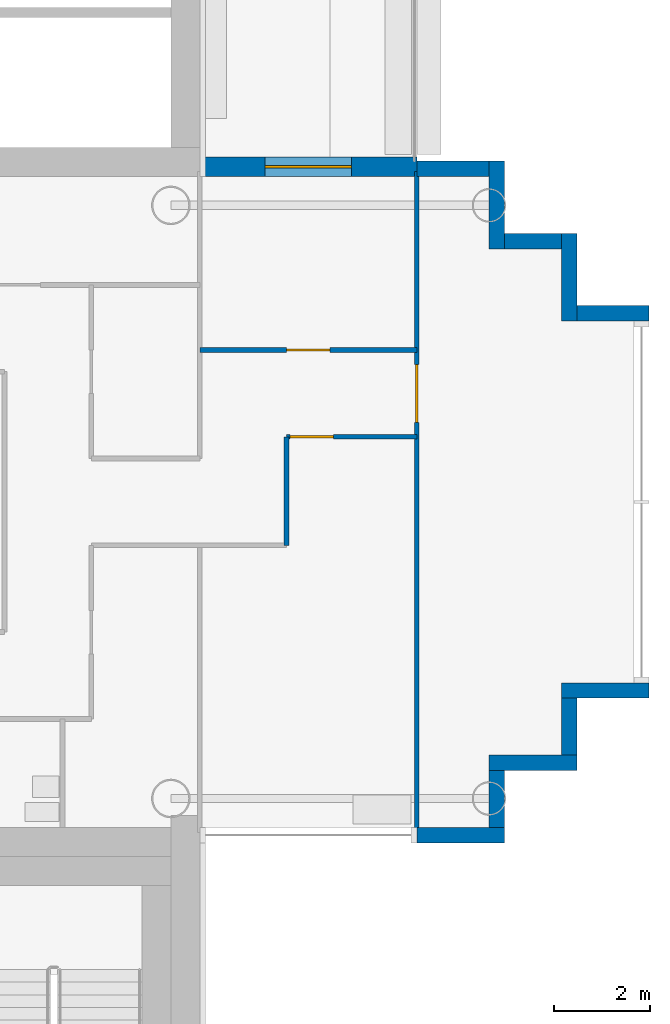
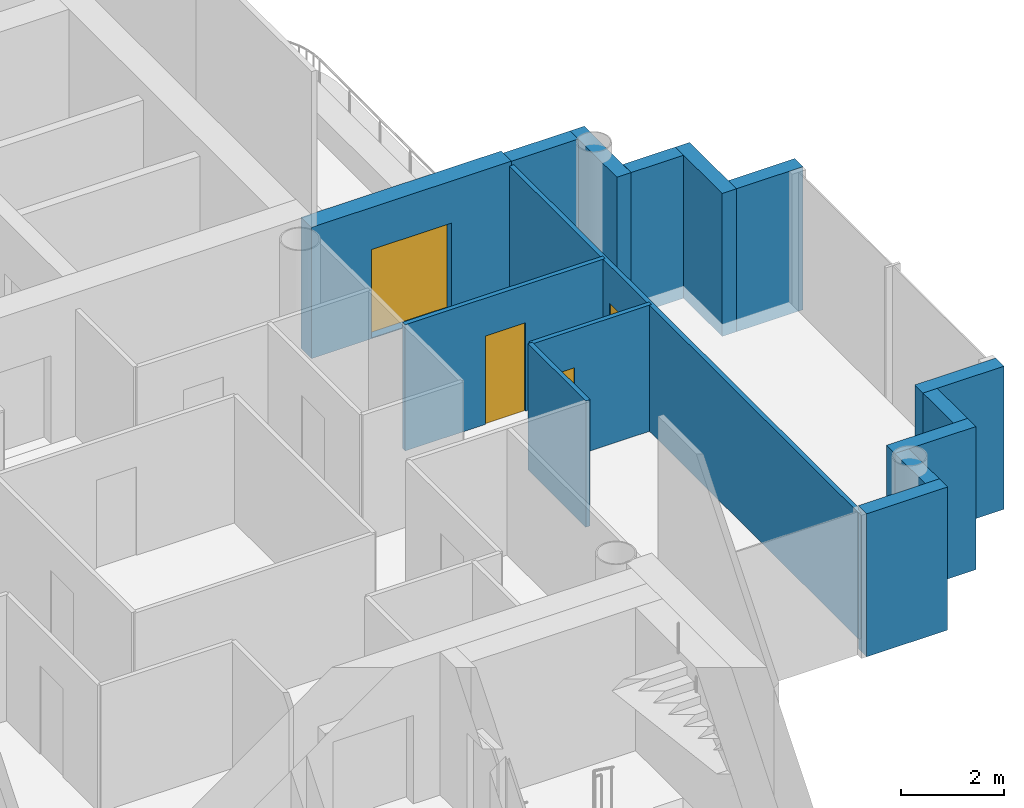
# One storey, part 11 of 18: 15 walls, 4 doors, 4 openings.
"""IFC4 building model written with IfcOpenShell, lengths in metres."""

from ifc_helpers import new_model, si_unit, direction, frame, frame_2d, origin, place, context, subcontext, project, spatial, rectangle, extrude, material, layer, layer_set, type_object, element, fill, save


model = new_model("IFC4")

# Units and contexts
model_context = context("Model", 3, precision=1e-05, world=origin(), true_north=direction((0.0, 1.0)))
body_context = subcontext(model_context, "Body", "Model", "MODEL_VIEW")
ifc_project = project(units=[si_unit("LENGTHUNIT", "METRE"), si_unit("AREAUNIT", "SQUARE_METRE"), si_unit("VOLUMEUNIT", "CUBIC_METRE"), si_unit("PLANEANGLEUNIT", "RADIAN"), si_unit("MASSUNIT", "GRAM", prefix="KILO")], contexts=[model_context])

# Site, building, storey
site_placement = place(None, origin())
site = spatial("IfcSite", under=ifc_project, at=site_placement, CompositionType="ELEMENT")
building_placement = place(site_placement, origin())
building = spatial("IfcBuilding", under=site, at=building_placement, Name="Ipe Terrace Towers", CompositionType="ELEMENT")
storey_placement = place(building_placement, frame((0.0, 0.0, 219.800048828125)))
storey = spatial("IfcBuildingStorey", under=building, at=storey_placement, Name="L61", CompositionType="ELEMENT", Elevation=219.800048828125)

# Wall, opening, door
ifc_material_1 = material(Name="Concrete C40/50 with buff precast cladding", Category="concrete")
ifc_layer_1 = layer(ifc_material_1, 0.39990234375)
ifc_layer_set_1 = layer_set([ifc_layer_1], Name="BALCONY BAY WALL 400")
wall_type_1 = type_object("IfcWallType", Name="BALCONY BAY WALL 400", PredefinedType="STANDARD", material=ifc_layer_set_1)
wall_1_placement = place(storey_placement, frame((47.25, 6.949951171875, -0.02001953125), z_axis=(0.0, 0.0, 1.0), x_axis=(-1.0, 0.0, 0.0)))
wall_1 = element("IfcWall", 1, at=wall_1_placement, inside=storey, type_object=wall_type_1, Name="T2-W-L61-14a wall", PredefinedType="STANDARD", context=body_context, shape_type="SweptSolid", body=[
    extrude(rectangle(XDim=4.5, YDim=0.39990234375, at=frame_2d((2.25, 0.0))), origin(), (0.0, 0.0, 1.0), 3.119873046875),
])
opening_1_placement = place(wall_1_placement, frame((1.35009765625, 0.0, 0.02001953125)))
opening_1 = element("IfcOpeningElement", 2, at=opening_1_placement, cuts=wall_1, Name="Opening T2-D-L61-14", PredefinedType="OPENING", context=body_context, shape_type="SweptSolid", body=[
    extrude(rectangle(XDim=1.800048828125, YDim=2.10009765625, at=frame_2d((0.89990234375, 1.050048828125))), frame((0.0, 0.2099609375, 0.0), z_axis=(0.0, -1.0, 0.0), x_axis=(1.0, 0.0, 0.0)), (0.0, 0.0, 1.0), 0.419921875),
])
ifc_material_2 = material(Name="Aluminium alloy 6063-T6 framed glazed door", Category="aluminium")
door_type_1 = type_object("IfcDoorType", Name="BALCONY DOOR 1800 x 2100 RIGHT", OperationType="SINGLE_SWING_RIGHT", PredefinedType="DOOR", material=ifc_material_2)
door_1_placement = place(opening_1_placement, origin())
door_1 = element("IfcDoor", 3, at=door_1_placement, inside=storey, type_object=door_type_1, Name="DB2 door", OperationType="SINGLE_SWING_RIGHT", OverallHeight=2.10009765625, OverallWidth=1.800048828125, PredefinedType="DOOR", context=body_context, shape_type="SweptSolid", body=[
    extrude(rectangle(XDim=1.800048828125, YDim=2.10009765625, at=frame_2d((0.89990234375, 1.050048828125))), frame((0.0, 0.02490234375, 0.0), z_axis=(0.0, -1.0, 0.0), x_axis=(1.0, 0.0, 0.0)), (0.0, 0.0, 1.0), 0.050048828125),
])
fill(opening_1, door_1)

# Walls
ifc_material_3 = material(Name="Concrete C40/50 with buff precast cladding", Category="concrete")
ifc_layer_2 = layer(ifc_material_3, 0.320068359375)
ifc_layer_set_2 = layer_set([ifc_layer_2], Name="BUFF CLADDING WALL 320")
wall_type_2 = type_object("IfcWallType", Name="BUFF CLADDING WALL 320", PredefinedType="STANDARD", material=ifc_layer_set_2)
wall_2_placement = place(storey_placement, frame((47.25, -6.909912109375, -0.300048828125), z_axis=(0.0, 0.0, 1.0), x_axis=(1.0, 0.0, 0.0)))
element("IfcWall", 4, at=wall_2_placement, inside=storey, type_object=wall_type_2, Name="T2-W-L61-03a wall", PredefinedType="STANDARD", context=body_context, shape_type="SweptSolid", body=[
    extrude(rectangle(XDim=1.820068359375, YDim=0.320068359375, at=frame_2d((0.91015625, 0.0))), origin(), (0.0, 0.0, 1.0), 3.39990234375),
])
wall_3_placement = place(storey_placement, frame((48.909912109375, -6.75, -0.300048828125), z_axis=(0.0, 0.0, 1.0), x_axis=(0.0, 1.0, 0.0)))
element("IfcWall", 5, at=wall_3_placement, inside=storey, type_object=wall_type_2, Name="T2-W-L61-04a wall", PredefinedType="STANDARD", context=body_context, shape_type="SweptSolid", body=[
    extrude(rectangle(XDim=1.179931640625, YDim=0.320068359375, at=frame_2d((0.58984375, 0.0))), origin(), (0.0, 0.0, 1.0), 3.39990234375),
])
wall_4_placement = place(storey_placement, frame((48.75, -5.409912109375, -0.300048828125), z_axis=(0.0, 0.0, 1.0), x_axis=(1.0, 0.0, 0.0)))
element("IfcWall", 6, at=wall_4_placement, inside=storey, type_object=wall_type_2, Name="T2-W-L61-05a wall", PredefinedType="STANDARD", context=body_context, shape_type="SweptSolid", body=[
    extrude(rectangle(XDim=1.820068359375, YDim=0.320068359375, at=frame_2d((0.91015625, 0.0))), origin(), (0.0, 0.0, 1.0), 3.39990234375),
])
wall_5_placement = place(storey_placement, frame((50.409912109375, -5.25, -0.300048828125), z_axis=(0.0, 0.0, 1.0), x_axis=(0.0, 1.0, 0.0)))
element("IfcWall", 7, at=wall_5_placement, inside=storey, type_object=wall_type_2, Name="T2-W-L61-06a wall", PredefinedType="STANDARD", context=body_context, shape_type="SweptSolid", body=[
    extrude(rectangle(XDim=1.179931640625, YDim=0.320068359375, at=frame_2d((0.58984375, 0.0))), origin(), (0.0, 0.0, 1.0), 3.39990234375),
])
wall_6_placement = place(storey_placement, frame((50.25, -3.909912109375, -0.300048828125), z_axis=(0.0, 0.0, 1.0), x_axis=(1.0, 0.0, 0.0)))
element("IfcWall", 8, at=wall_6_placement, inside=storey, type_object=wall_type_2, Name="T2-W-L61-07a wall", PredefinedType="STANDARD", context=body_context, shape_type="SweptSolid", body=[
    extrude(rectangle(XDim=1.820068359375, YDim=0.320068359375, at=frame_2d((0.91015625, 0.0))), origin(), (0.0, 0.0, 1.0), 3.39990234375),
])
wall_7_placement = place(storey_placement, frame((52.070068359375, 3.909912109375, -0.300048828125), z_axis=(0.0, 0.0, 1.0), x_axis=(-1.0, 0.0, 0.0)))
element("IfcWall", 9, at=wall_7_placement, inside=storey, type_object=wall_type_2, Name="T2-W-L61-09a wall", PredefinedType="STANDARD", context=body_context, shape_type="SweptSolid", body=[
    extrude(rectangle(XDim=1.5, YDim=0.320068359375, at=frame_2d((0.75, 0.0))), origin(), (0.0, 0.0, 1.0), 3.39990234375),
])
wall_8_placement = place(storey_placement, frame((50.409912109375, 3.75, -0.300048828125), z_axis=(0.0, 0.0, 1.0), x_axis=(0.0, 1.0, 0.0)))
element("IfcWall", 10, at=wall_8_placement, inside=storey, type_object=wall_type_2, Name="T2-W-L61-10a wall", PredefinedType="STANDARD", context=body_context, shape_type="SweptSolid", body=[
    extrude(rectangle(XDim=1.820068359375, YDim=0.320068359375, at=frame_2d((0.91015625, 0.0))), origin(), (0.0, 0.0, 1.0), 3.39990234375),
])
wall_9_placement = place(storey_placement, frame((50.25, 5.409912109375, -0.300048828125), z_axis=(0.0, 0.0, 1.0), x_axis=(-1.0, 0.0, 0.0)))
element("IfcWall", 11, at=wall_9_placement, inside=storey, type_object=wall_type_2, Name="T2-W-L61-11a wall", PredefinedType="STANDARD", context=body_context, shape_type="SweptSolid", body=[
    extrude(rectangle(XDim=1.179931640625, YDim=0.320068359375, at=frame_2d((0.58984375, 0.0))), origin(), (0.0, 0.0, 1.0), 3.39990234375),
])
wall_10_placement = place(storey_placement, frame((48.909912109375, 5.25, -0.300048828125), z_axis=(0.0, 0.0, 1.0), x_axis=(0.0, 1.0, 0.0)))
element("IfcWall", 12, at=wall_10_placement, inside=storey, type_object=wall_type_2, Name="T2-W-L61-12a wall", PredefinedType="STANDARD", context=body_context, shape_type="SweptSolid", body=[
    extrude(rectangle(XDim=1.820068359375, YDim=0.320068359375, at=frame_2d((0.91015625, 0.0))), origin(), (0.0, 0.0, 1.0), 3.39990234375),
])
wall_11_placement = place(storey_placement, frame((48.75, 6.909912109375, -0.300048828125), z_axis=(0.0, 0.0, 1.0), x_axis=(-1.0, 0.0, 0.0)))
element("IfcWall", 13, at=wall_11_placement, inside=storey, type_object=wall_type_2, Name="T2-W-L61-13a wall", PredefinedType="STANDARD", context=body_context, shape_type="SweptSolid", body=[
    extrude(rectangle(XDim=1.5, YDim=0.320068359375, at=frame_2d((0.75, 0.0))), origin(), (0.0, 0.0, 1.0), 3.39990234375),
])

# Wall, opening, door
ifc_material_4 = material(Name="Gypsum board partition", Category="plasterboard")
ifc_layer_3 = layer(ifc_material_4, 0.10009765625)
ifc_layer_set_3 = layer_set([ifc_layer_3], Name="Gypsum board partition 100 mm")
wall_type_3 = type_object("IfcWallType", Name="Gypsum board partition 100 mm", PredefinedType="PARTITIONING", material=ifc_layer_set_3)
wall_12_placement = place(storey_placement, frame((47.25, 1.35009765625, 0.0), z_axis=(0.0, 0.0, 1.0), x_axis=(-1.0, 0.0, 0.0)))
wall_12 = element("IfcWall", 14, at=wall_12_placement, inside=storey, type_object=wall_type_3, Name="Gypsum board partition T2 L61 W11", PredefinedType="PARTITIONING", context=body_context, shape_type="SweptSolid", body=[
    extrude(rectangle(XDim=2.699951171875, YDim=0.10009765625, at=frame_2d((1.35009765625, 0.0))), origin(), (0.0, 0.0, 1.0), 3.0),
])
opening_2_placement = place(wall_12_placement, frame((1.72998046875, 0.0, 0.0)))
opening_2 = element("IfcOpeningElement", 15, at=opening_2_placement, cuts=wall_12, Name="Opening T2-Z4F-21", PredefinedType="OPENING", context=body_context, shape_type="SweptSolid", body=[
    extrude(rectangle(XDim=0.89990234375, YDim=2.10009765625, at=frame_2d((0.449951171875, 1.050048828125))), frame((0.0, 0.06005859375, 0.0), z_axis=(0.0, -1.0, 0.0), x_axis=(1.0, 0.0, 0.0)), (0.0, 0.0, 1.0), 0.1201171875),
])
ifc_material_5 = material(Name="Timber door leaf", Category="wood")
door_type_2 = type_object("IfcDoorType", Name="Lounge door 900 x 2100", OperationType="NOTDEFINED", PredefinedType="DOOR", material=ifc_material_5)
door_2_placement = place(opening_2_placement, origin())
door_2 = element("IfcDoor", 16, at=door_2_placement, inside=storey, type_object=door_type_2, Name="Lounge door T2-Z4F-21", OperationType="SINGLE_SWING_LEFT", OverallHeight=2.10009765625, OverallWidth=0.89990234375, PredefinedType="DOOR", context=body_context, shape_type="SweptSolid", body=[
    extrude(rectangle(XDim=0.89990234375, YDim=2.10009765625, at=frame_2d((0.449951171875, 1.050048828125))), frame((0.0, 0.02490234375, 0.0), z_axis=(0.0, -1.0, 0.0), x_axis=(1.0, 0.0, 0.0)), (0.0, 0.0, 1.0), 0.050048828125),
])
fill(opening_2, door_2)

wall_13_placement = place(storey_placement, frame((47.25, 3.14990234375, 0.0), z_axis=(0.0, 0.0, 1.0), x_axis=(-1.0, 0.0, 0.0)))
wall_13 = element("IfcWall", 17, at=wall_13_placement, inside=storey, type_object=wall_type_3, Name="Gypsum board partition T2 L61 W14", PredefinedType="PARTITIONING", context=body_context, shape_type="SweptSolid", body=[
    extrude(rectangle(XDim=4.5, YDim=0.10009765625, at=frame_2d((2.25, 0.0))), origin(), (0.0, 0.0, 1.0), 3.0),
])
opening_3_placement = place(wall_13_placement, frame((1.800048828125, 0.0, 0.0)))
opening_3 = element("IfcOpeningElement", 18, at=opening_3_placement, cuts=wall_13, Name="Opening T2-Z4F-20", PredefinedType="OPENING", context=body_context, shape_type="SweptSolid", body=[
    extrude(rectangle(XDim=0.89990234375, YDim=2.10009765625, at=frame_2d((0.449951171875, 1.050048828125))), frame((0.0, 0.06005859375, 0.0), z_axis=(0.0, -1.0, 0.0), x_axis=(1.0, 0.0, 0.0)), (0.0, 0.0, 1.0), 0.1201171875),
])
door_3_placement = place(opening_3_placement, origin())
door_3 = element("IfcDoor", 19, at=door_3_placement, inside=storey, type_object=door_type_2, Name="Lounge door T2-Z4F-20", OperationType="SINGLE_SWING_RIGHT", OverallHeight=2.10009765625, OverallWidth=0.89990234375, PredefinedType="DOOR", context=body_context, shape_type="SweptSolid", body=[
    extrude(rectangle(XDim=0.89990234375, YDim=2.10009765625, at=frame_2d((0.449951171875, 1.050048828125))), frame((0.0, 0.02490234375, 0.0), z_axis=(0.0, -1.0, 0.0), x_axis=(1.0, 0.0, 0.0)), (0.0, 0.0, 1.0), 0.050048828125),
])
fill(opening_3, door_3)

wall_14_placement = place(storey_placement, frame((47.25, -6.85009765625, 0.0), z_axis=(0.0, 0.0, 1.0), x_axis=(0.0, 1.0, 0.0)))
wall_14 = element("IfcWall", 20, at=wall_14_placement, inside=storey, type_object=wall_type_3, Name="Gypsum board partition T2 L61 W17", PredefinedType="PARTITIONING", context=body_context, shape_type="SweptSolid", body=[
    extrude(rectangle(XDim=13.7001953125, YDim=0.10009765625, at=frame_2d((6.85009765625, 0.0))), origin(), (0.0, 0.0, 1.0), 3.0),
])
opening_4_placement = place(wall_14_placement, frame((8.5, 0.0, 0.0)))
opening_4 = element("IfcOpeningElement", 21, at=opening_4_placement, cuts=wall_14, Name="Opening T2-Z4F-22", PredefinedType="OPENING", context=body_context, shape_type="SweptSolid", body=[
    extrude(rectangle(XDim=1.199951171875, YDim=2.10009765625, at=frame_2d((0.60009765625, 1.050048828125))), frame((0.0, 0.06005859375, 0.0), z_axis=(0.0, -1.0, 0.0), x_axis=(1.0, 0.0, 0.0)), (0.0, 0.0, 1.0), 0.1201171875),
])
ifc_material_6 = material(Name="Timber door leaf", Category="wood")
door_type_3 = type_object("IfcDoorType", Name="Lounge door 1200 x 2100", OperationType="NOTDEFINED", PredefinedType="DOOR", material=ifc_material_6)
door_4_placement = place(opening_4_placement, origin())
door_4 = element("IfcDoor", 22, at=door_4_placement, inside=storey, type_object=door_type_3, Name="Lounge door T2-Z4F-22", OperationType="SINGLE_SWING_RIGHT", OverallHeight=2.10009765625, OverallWidth=1.199951171875, PredefinedType="DOOR", context=body_context, shape_type="SweptSolid", body=[
    extrude(rectangle(XDim=1.199951171875, YDim=2.10009765625, at=frame_2d((0.60009765625, 1.050048828125))), frame((0.0, 0.02490234375, 0.0), z_axis=(0.0, -1.0, 0.0), x_axis=(1.0, 0.0, 0.0)), (0.0, 0.0, 1.0), 0.050048828125),
])
fill(opening_4, door_4)

# Wall
wall_15_placement = place(storey_placement, frame((44.550048828125, -0.89990234375, 0.0), z_axis=(0.0, 0.0, 1.0), x_axis=(0.0, 1.0, 0.0)))
element("IfcWall", 23, at=wall_15_placement, inside=storey, type_object=wall_type_3, Name="Gypsum board partition T2 L61 W18", PredefinedType="PARTITIONING", context=body_context, shape_type="SweptSolid", body=[
    extrude(rectangle(XDim=2.25, YDim=0.10009765625, at=frame_2d((1.125, 0.0))), origin(), (0.0, 0.0, 1.0), 3.0),
])

save(model, "model.ifc")
